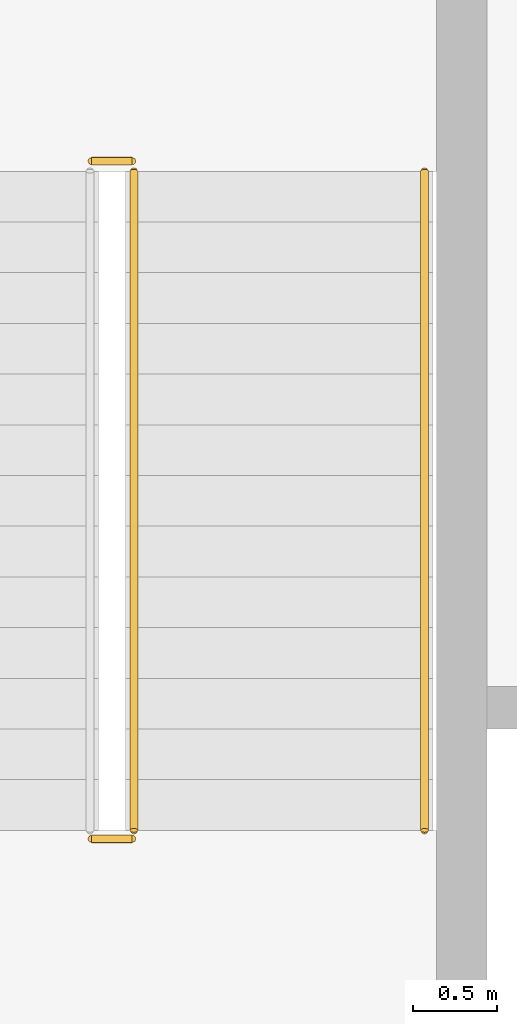
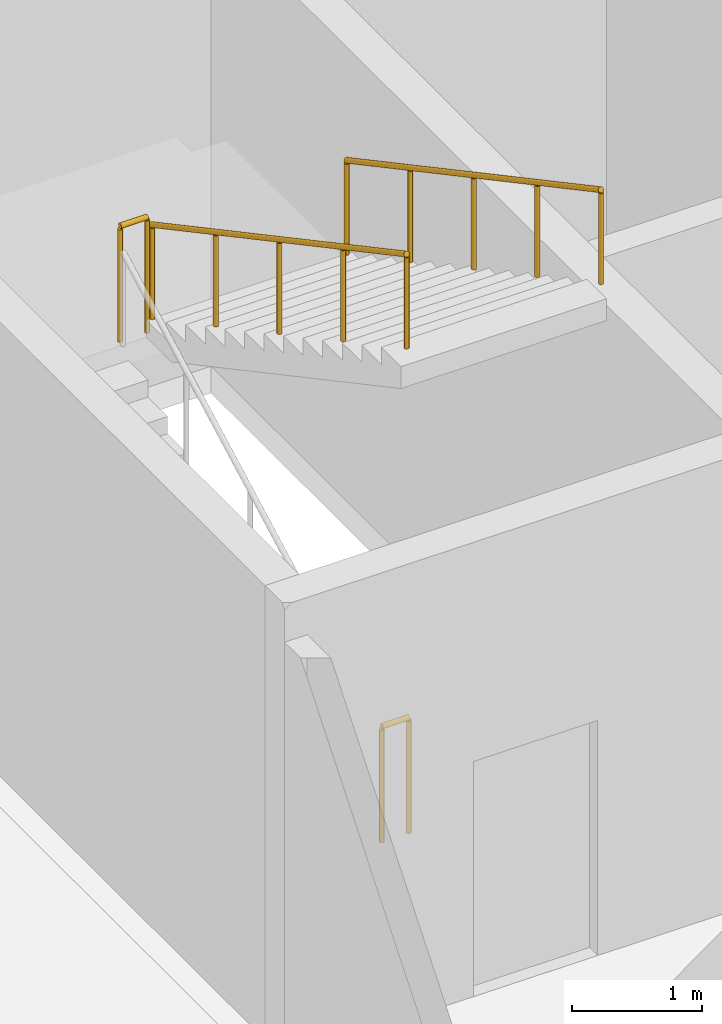
# One storey, part 109 of 113: 4 railings.
"""IFC4 building model written with IfcOpenShell, lengths in metres."""

from ifc_helpers import new_model, si_unit, direction, frame, origin, origin_2d, place, context, subcontext, project, spatial, circle, extrude, material, type_object, element, save


model = new_model("IFC4")

# Units and contexts
model_context = context("Model", 3, precision=1e-05, world=origin(), true_north=direction((0.0, 1.0)))
body_context = subcontext(model_context, "Body", "Model", "MODEL_VIEW")
ifc_project = project(units=[si_unit("LENGTHUNIT", "METRE"), si_unit("AREAUNIT", "SQUARE_METRE"), si_unit("VOLUMEUNIT", "CUBIC_METRE"), si_unit("PLANEANGLEUNIT", "RADIAN"), si_unit("MASSUNIT", "GRAM", prefix="KILO")], contexts=[model_context])

# Site, building, storey
site_placement = place(None, origin())
site = spatial("IfcSite", under=ifc_project, at=site_placement, CompositionType="ELEMENT")
building_placement = place(site_placement, origin())
building = spatial("IfcBuilding", under=site, at=building_placement, Name="Veltarok Museum of Natural Sciences", CompositionType="ELEMENT")
storey_placement = place(building_placement, frame((0.0, 0.0, 8.39990234375)))
storey = spatial("IfcBuildingStorey", under=building, at=storey_placement, Name="L01", CompositionType="ELEMENT", Elevation=8.39990234375)

# Railings
ifc_material = material(Name="Steel S355J2", Category="steel")
railing_type_1 = type_object("IfcRailingType", Name="Interior Atrium and Stairwell Guardrail 1100", PredefinedType="GUARDRAIL", material=ifc_material)
for number, where, name in (
    (1, (42.330078125, 65.050048828125, 0.0), "Stairwell Floor Guard ST-03 L01"),
    (2, (42.330078125, 69.06005859375, 2.25), "Landing Well Guard ST-03-L01-L1"),
):
    element("IfcRailing", number, at=place(storey_placement, frame(where)), inside=storey, type_object=railing_type_1, Name=name, PredefinedType="GUARDRAIL", context=body_context, shape_type="SweptSolid", body=[
        extrude(circle(Radius=0.02392578125, at=origin_2d()), frame((0.0, 0.0, 1.076171875), z_axis=(1.0, 0.0, 0.0), x_axis=(0.0, 1.0, 0.0)), (0.0, 0.0, 1.0), 0.239990234375),
        extrude(circle(Radius=0.02099609375, at=origin_2d()), origin(), (0.0, 0.0, 1.0), 1.052001953125),
        extrude(circle(Radius=0.02099609375, at=origin_2d()), frame((0.239990234375, 0.0, 0.0)), (0.0, 0.0, 1.0), 1.052001953125),
    ])
railing_type_2 = type_object("IfcRailingType", Name="Stair Flight Tubular Steel Handrail 900", PredefinedType="HANDRAIL", material=ifc_material)
for number, where, name in (
    (3, (42.580078125, 69.0, 2.410888671875), "Stair Handrail ST-03-L01-F2L"),
    (4, (44.300048828125, 69.0, 2.410888671875), "Stair Handrail ST-03-L01-F2R"),
):
    element("IfcRailing", number, at=place(storey_placement, frame(where)), inside=storey, type_object=railing_type_2, Name=name, PredefinedType="HANDRAIL", context=body_context, shape_type="SweptSolid", body=[
        extrude(circle(Radius=0.02392578125, at=origin_2d()), frame((0.0, 0.0, 0.8759765625), z_axis=(0.0, -0.881491454809, 0.472199973632), x_axis=(1.0, 0.0, 0.0)), (0.0, 0.0, 1.0), 4.42431640625),
        extrude(circle(Radius=0.02099609375, at=origin_2d()), origin(), (0.0, 0.0, 1.0), 0.851806640625),
        extrude(circle(Radius=0.02099609375, at=origin_2d()), frame((0.0, -0.97509765625, 0.522216796875)), (0.0, 0.0, 1.0), 0.851806640625),
        extrude(circle(Radius=0.02099609375, at=origin_2d()), frame((0.0, -1.949951171875, 1.04443359375)), (0.0, 0.0, 1.0), 0.851806640625),
        extrude(circle(Radius=0.02099609375, at=origin_2d()), frame((0.0, -2.9248046875, 1.56689453125)), (0.0, 0.0, 1.0), 0.851806640625),
        extrude(circle(Radius=0.02099609375, at=origin_2d()), frame((0.0, -3.89990234375, 2.089111328125)), (0.0, 0.0, 1.0), 0.851806640625),
    ])

save(model, "model.ifc")
